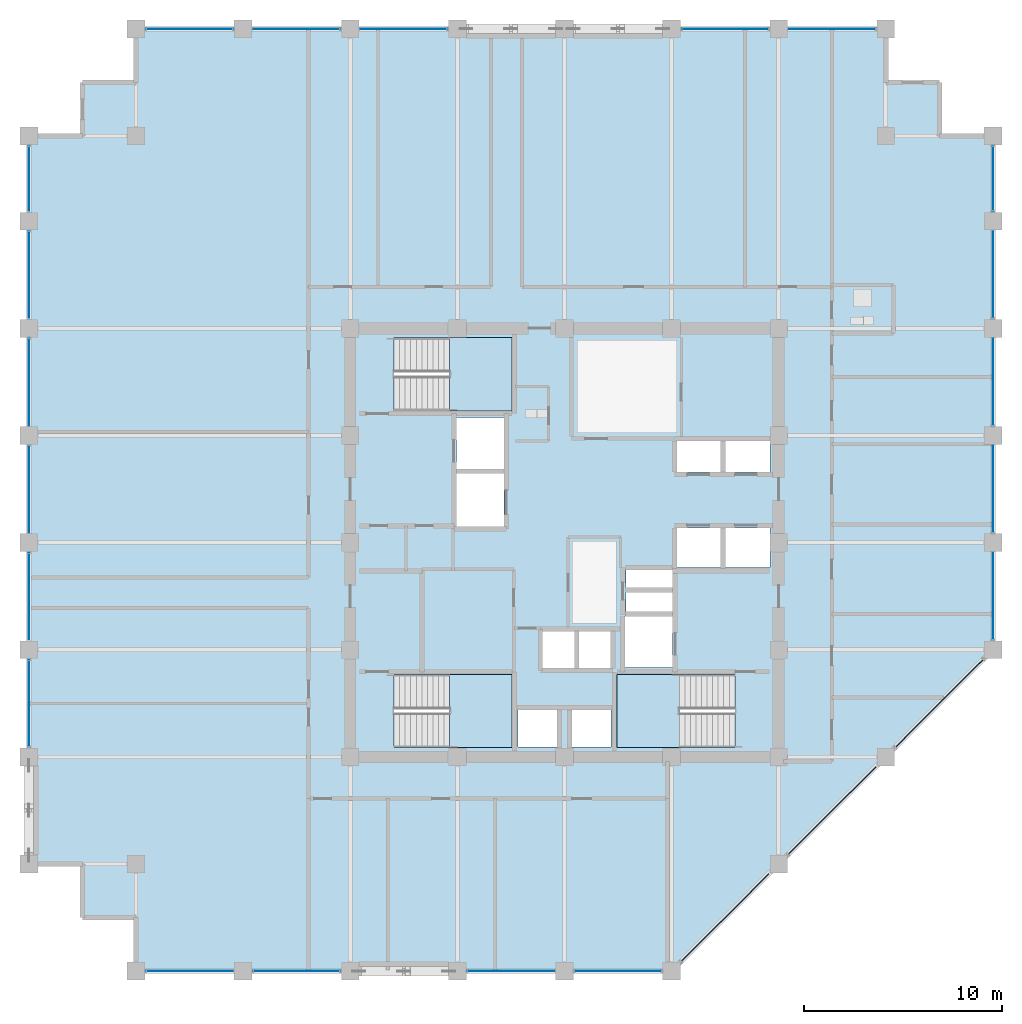
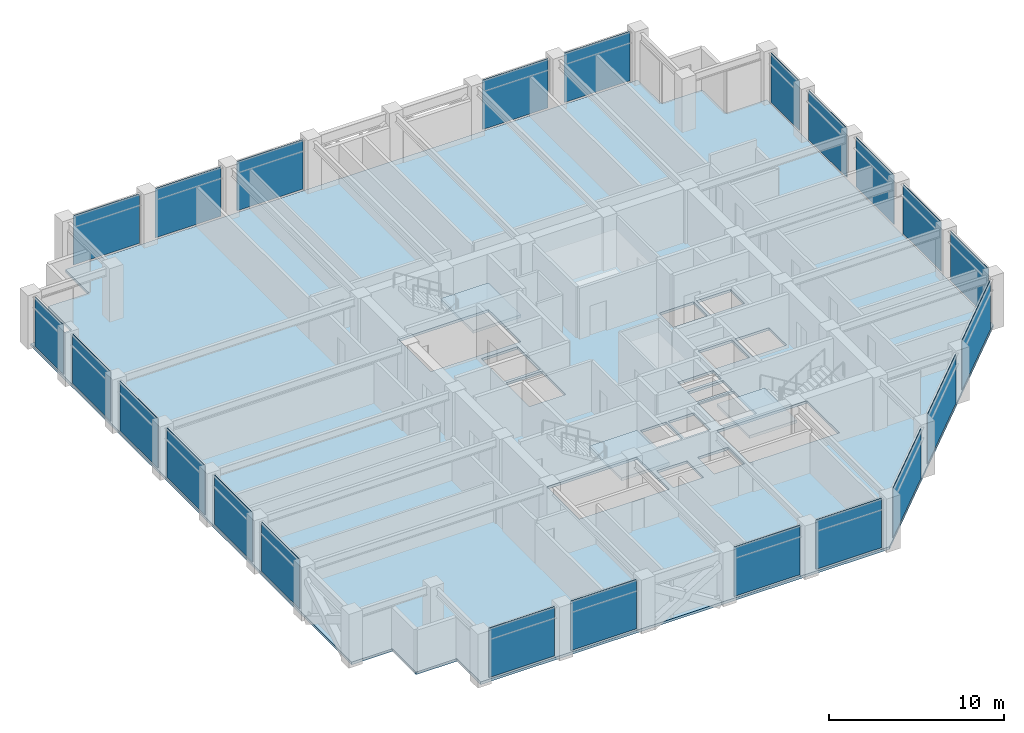
# One storey, part 26 of 32: 23 plates, 4 slabs, 10 elements without a shape of their own.
"""IFC4 building model written with IfcOpenShell, lengths in metres."""

from ifc_helpers import new_model, si_unit, direction, frame, frame_2d, origin, place, context, subcontext, project, spatial, polyline, rectangle, outline, extrude, material, layer, layer_set, type_object, element, aggregate, save


model = new_model("IFC4")

# Units and contexts
model_context = context("Model", 3, precision=1e-05, world=origin(), true_north=direction((0.0, 1.0)))
body_context = subcontext(model_context, "Body", "Model", "MODEL_VIEW")
ifc_project = project(units=[si_unit("LENGTHUNIT", "METRE"), si_unit("AREAUNIT", "SQUARE_METRE"), si_unit("VOLUMEUNIT", "CUBIC_METRE"), si_unit("PLANEANGLEUNIT", "RADIAN"), si_unit("MASSUNIT", "GRAM", prefix="KILO")], contexts=[model_context])

# Site, building, storey
site_placement = place(None, origin())
site = spatial("IfcSite", under=ifc_project, at=site_placement, CompositionType="ELEMENT")
building_placement = place(site_placement, origin())
building = spatial("IfcBuilding", under=site, at=building_placement, Name="Surkhivell Harbour Commons", CompositionType="ELEMENT")
storey_placement = place(building_placement, frame((0.0, 0.0, 212.25)))
storey = spatial("IfcBuildingStorey", under=building, at=storey_placement, Name="L55", CompositionType="ELEMENT", Elevation=212.25)

# Curtain wall, plates
ifc_material_1 = material(Name="Anodised pale-metal aluminium and insulated glazing", Category="aluminium")
ifc_layer_1 = layer(ifc_material_1, 0.18994140625)
ifc_layer_set_1 = layer_set([ifc_layer_1], Name="Anodised pale-metal aluminium and insulated glazing")
curtain_wall_type = type_object("IfcCurtainWallType", Name="CW-SYS-Z3", PredefinedType="NOTDEFINED", material=ifc_layer_set_1)
curtain_wall_1_placement = place(storey_placement, origin())
curtain_wall_1 = element("IfcCurtainWall", 1, at=curtain_wall_1_placement, inside=storey, type_object=curtain_wall_type, Name="L55 Curtain Wall CW-L55-E00S1", PredefinedType="NOTDEFINED")
ifc_material_2 = material(Name="High-pressure typhoon laminated vision glass", Category="glass")
ifc_layer_2 = layer(ifc_material_2, 0.035888671875)
ifc_layer_set_2 = layer_set([ifc_layer_2], Name="High-pressure typhoon laminated vision glass")
plate_type = type_object("IfcPlateType", Name="CWP-GLZ-36", PredefinedType="CURTAIN_PANEL", material=ifc_layer_set_2)
plate_1_placement = place(storey_placement, frame((-21.072998046875, -21.60009765625, 0.1298828125), z_axis=(0.0, 0.0, 1.0), x_axis=(1.0, 0.0, 0.0)))
plate_1 = element("IfcPlate", 2, at=plate_1_placement, type_object=plate_type, Name="CW-Z3 panel 1.1", PredefinedType="CURTAIN_PANEL", context=body_context, shape_type="SweptSolid", body=[
    extrude(rectangle(XDim=4.345947265625, YDim=0.035888671875, at=frame_2d((2.1728515625, 0.0))), origin(), (0.0, 0.0, 1.0), 3.440185546875),
])
plate_2_placement = place(storey_placement, frame((-15.673095703125, -21.60009765625, 0.1298828125), z_axis=(0.0, 0.0, 1.0), x_axis=(1.0, 0.0, 0.0)))
plate_2 = element("IfcPlate", 3, at=plate_2_placement, type_object=plate_type, Name="CW-Z3 panel 2.1", PredefinedType="CURTAIN_PANEL", context=body_context, shape_type="SweptSolid", body=[
    extrude(rectangle(XDim=4.34619140625, YDim=0.035888671875, at=frame_2d((2.173095703125, 0.0))), origin(), (0.0, 0.0, 1.0), 3.440185546875),
])
aggregate(curtain_wall_1, [plate_1, plate_2])

curtain_wall_2_placement = place(storey_placement, origin())
curtain_wall_2 = element("IfcCurtainWall", 4, at=curtain_wall_2_placement, inside=storey, type_object=curtain_wall_type, Name="L55 Curtain Wall CW-L55-E00S2", PredefinedType="NOTDEFINED")
plate_3_placement = place(storey_placement, frame((-4.873046875, -21.60009765625, 0.1298828125), z_axis=(0.0, 0.0, 1.0), x_axis=(1.0, 0.0, 0.0)))
plate_3 = element("IfcPlate", 5, at=plate_3_placement, type_object=plate_type, Name="CW-Z3 panel 1.1", PredefinedType="CURTAIN_PANEL", context=body_context, shape_type="SweptSolid", body=[
    extrude(rectangle(XDim=4.345947265625, YDim=0.035888671875, at=frame_2d((2.1728515625, 0.0))), origin(), (0.0, 0.0, 1.0), 3.440185546875),
])
plate_4_placement = place(storey_placement, frame((0.527099609375, -21.60009765625, 0.1298828125), z_axis=(0.0, 0.0, 1.0), x_axis=(1.0, 0.0, 0.0)))
plate_4 = element("IfcPlate", 6, at=plate_4_placement, type_object=plate_type, Name="CW-Z3 panel 2.1", PredefinedType="CURTAIN_PANEL", context=body_context, shape_type="SweptSolid", body=[
    extrude(rectangle(XDim=4.345947265625, YDim=0.035888671875, at=frame_2d((2.1728515625, 0.0))), origin(), (0.0, 0.0, 1.0), 3.440185546875),
])
aggregate(curtain_wall_2, [plate_3, plate_4])

curtain_wall_3_placement = place(storey_placement, origin())
curtain_wall_3 = element("IfcCurtainWall", 7, at=curtain_wall_3_placement, inside=storey, type_object=curtain_wall_type, Name="L55 Curtain Wall CW-L55-E01", PredefinedType="NOTDEFINED")
plate_5_placement = place(storey_placement, frame((5.90478515625, -21.09521484375, 0.1298828125), z_axis=(0.0, 0.0, 1.0), x_axis=(0.707106781187, 0.707106781187, 0.0)))
plate_5 = element("IfcPlate", 8, at=plate_5_placement, type_object=plate_type, Name="CW-Z3 panel 1.1", PredefinedType="CURTAIN_PANEL", context=body_context, shape_type="SweptSolid", body=[
    extrude(rectangle(XDim=6.209228515625, YDim=0.035888671875, at=frame_2d((3.1044921875, 0.0))), origin(), (0.0, 0.0, 1.0), 3.440185546875),
])
plate_6_placement = place(storey_placement, frame((11.3046875, -15.6953125, 0.1298828125), z_axis=(0.0, 0.0, 1.0), x_axis=(0.707106781187, 0.707106781187, 0.0)))
plate_6 = element("IfcPlate", 9, at=plate_6_placement, type_object=plate_type, Name="CW-Z3 panel 2.1", PredefinedType="CURTAIN_PANEL", context=body_context, shape_type="SweptSolid", body=[
    extrude(rectangle(XDim=6.209228515625, YDim=0.035888671875, at=frame_2d((3.1044921875, 0.0))), origin(), (0.0, 0.0, 1.0), 3.440185546875),
])
plate_7_placement = place(storey_placement, frame((16.70458984375, -10.29541015625, 0.1298828125), z_axis=(0.0, 0.0, 1.0), x_axis=(0.707106781187, 0.707106781187, 0.0)))
plate_7 = element("IfcPlate", 10, at=plate_7_placement, type_object=plate_type, Name="CW-Z3 panel 3.1", PredefinedType="CURTAIN_PANEL", context=body_context, shape_type="SweptSolid", body=[
    extrude(rectangle(XDim=6.209228515625, YDim=0.035888671875, at=frame_2d((3.1044921875, 0.0))), origin(), (0.0, 0.0, 1.0), 3.440185546875),
])
aggregate(curtain_wall_3, [plate_5, plate_6, plate_7])

curtain_wall_4_placement = place(storey_placement, origin())
curtain_wall_4 = element("IfcCurtainWall", 11, at=curtain_wall_4_placement, inside=storey, type_object=curtain_wall_type, Name="L55 Curtain Wall CW-L55-E02", PredefinedType="NOTDEFINED")
plate_8_placement = place(storey_placement, frame((21.60009765625, -4.873046875, 0.1298828125), z_axis=(0.0, 0.0, 1.0), x_axis=(0.0, 1.0, 0.0)))
plate_8 = element("IfcPlate", 12, at=plate_8_placement, type_object=plate_type, Name="CW-Z3 panel 1.1", PredefinedType="CURTAIN_PANEL", context=body_context, shape_type="SweptSolid", body=[
    extrude(rectangle(XDim=4.345947265625, YDim=0.035888671875, at=frame_2d((2.1728515625, 0.0))), origin(), (0.0, 0.0, 1.0), 3.440185546875),
])
plate_9_placement = place(storey_placement, frame((21.60009765625, 0.527099609375, 0.1298828125), z_axis=(0.0, 0.0, 1.0), x_axis=(0.0, 1.0, 0.0)))
plate_9 = element("IfcPlate", 13, at=plate_9_placement, type_object=plate_type, Name="CW-Z3 panel 2.1", PredefinedType="CURTAIN_PANEL", context=body_context, shape_type="SweptSolid", body=[
    extrude(rectangle(XDim=4.345947265625, YDim=0.035888671875, at=frame_2d((2.1728515625, 0.0))), origin(), (0.0, 0.0, 1.0), 3.440185546875),
])
plate_10_placement = place(storey_placement, frame((21.60009765625, 5.927001953125, 0.1298828125), z_axis=(0.0, 0.0, 1.0), x_axis=(0.0, 1.0, 0.0)))
plate_10 = element("IfcPlate", 14, at=plate_10_placement, type_object=plate_type, Name="CW-Z3 panel 3.1", PredefinedType="CURTAIN_PANEL", context=body_context, shape_type="SweptSolid", body=[
    extrude(rectangle(XDim=4.345947265625, YDim=0.035888671875, at=frame_2d((2.1728515625, 0.0))), origin(), (0.0, 0.0, 1.0), 3.440185546875),
])
plate_11_placement = place(storey_placement, frame((21.60009765625, 11.326904296875, 0.1298828125), z_axis=(0.0, 0.0, 1.0), x_axis=(0.0, 1.0, 0.0)))
plate_11 = element("IfcPlate", 15, at=plate_11_placement, type_object=plate_type, Name="CW-Z3 panel 4.1", PredefinedType="CURTAIN_PANEL", context=body_context, shape_type="SweptSolid", body=[
    extrude(rectangle(XDim=4.34619140625, YDim=0.035888671875, at=frame_2d((2.173095703125, 0.0))), origin(), (0.0, 0.0, 1.0), 3.440185546875),
])
plate_12_placement = place(storey_placement, frame((21.60009765625, 16.72705078125, 0.1298828125), z_axis=(0.0, 0.0, 1.0), x_axis=(0.0, 1.0, 0.0)))
plate_12 = element("IfcPlate", 16, at=plate_12_placement, type_object=plate_type, Name="CW-Z3 panel 5.1", PredefinedType="CURTAIN_PANEL", context=body_context, shape_type="SweptSolid", body=[
    extrude(rectangle(XDim=3.245849609375, YDim=0.035888671875, at=frame_2d((1.623046875, 0.0))), origin(), (0.0, 0.0, 1.0), 3.440185546875),
])
aggregate(curtain_wall_4, [plate_8, plate_9, plate_10, plate_11, plate_12])

curtain_wall_5_placement = place(storey_placement, origin())
curtain_wall_5 = element("IfcCurtainWall", 17, at=curtain_wall_5_placement, inside=storey, type_object=curtain_wall_type, Name="L55 Curtain Wall CW-L55-E07S1", PredefinedType="NOTDEFINED")
plate_13_placement = place(storey_placement, frame((15.673095703125, 25.89990234375, 0.1298828125), z_axis=(0.0, 0.0, 1.0), x_axis=(-1.0, 0.0, 0.0)))
plate_13 = element("IfcPlate", 18, at=plate_13_placement, type_object=plate_type, Name="CW-Z3 panel 1.1", PredefinedType="CURTAIN_PANEL", context=body_context, shape_type="SweptSolid", body=[
    extrude(rectangle(XDim=4.34619140625, YDim=0.035888671875, at=frame_2d((2.173095703125, 0.0))), origin(), (0.0, 0.0, 1.0), 3.440185546875),
])
plate_14_placement = place(storey_placement, frame((10.27294921875, 25.89990234375, 0.1298828125), z_axis=(0.0, 0.0, 1.0), x_axis=(-1.0, 0.0, 0.0)))
plate_14 = element("IfcPlate", 19, at=plate_14_placement, type_object=plate_type, Name="CW-Z3 panel 2.1", PredefinedType="CURTAIN_PANEL", context=body_context, shape_type="SweptSolid", body=[
    extrude(rectangle(XDim=4.345947265625, YDim=0.035888671875, at=frame_2d((2.1728515625, 0.0))), origin(), (0.0, 0.0, 1.0), 3.440185546875),
])
aggregate(curtain_wall_5, [plate_13, plate_14])

curtain_wall_6_placement = place(storey_placement, origin())
curtain_wall_6 = element("IfcCurtainWall", 20, at=curtain_wall_6_placement, inside=storey, type_object=curtain_wall_type, Name="L55 Curtain Wall CW-L55-E07S2", PredefinedType="NOTDEFINED")
plate_15_placement = place(storey_placement, frame((-5.927001953125, 25.89990234375, 0.1298828125), z_axis=(0.0, 0.0, 1.0), x_axis=(-1.0, 0.0, 0.0)))
plate_15 = element("IfcPlate", 21, at=plate_15_placement, type_object=plate_type, Name="CW-Z3 panel 1.1", PredefinedType="CURTAIN_PANEL", context=body_context, shape_type="SweptSolid", body=[
    extrude(rectangle(XDim=4.345947265625, YDim=0.035888671875, at=frame_2d((2.1728515625, 0.0))), origin(), (0.0, 0.0, 1.0), 3.440185546875),
])
plate_16_placement = place(storey_placement, frame((-11.326904296875, 25.89990234375, 0.1298828125), z_axis=(0.0, 0.0, 1.0), x_axis=(-1.0, 0.0, 0.0)))
plate_16 = element("IfcPlate", 22, at=plate_16_placement, type_object=plate_type, Name="CW-Z3 panel 2.1", PredefinedType="CURTAIN_PANEL", context=body_context, shape_type="SweptSolid", body=[
    extrude(rectangle(XDim=4.34619140625, YDim=0.035888671875, at=frame_2d((2.173095703125, 0.0))), origin(), (0.0, 0.0, 1.0), 3.440185546875),
])
plate_17_placement = place(storey_placement, frame((-16.72705078125, 25.89990234375, 0.1298828125), z_axis=(0.0, 0.0, 1.0), x_axis=(-1.0, 0.0, 0.0)))
plate_17 = element("IfcPlate", 23, at=plate_17_placement, type_object=plate_type, Name="CW-Z3 panel 3.1", PredefinedType="CURTAIN_PANEL", context=body_context, shape_type="SweptSolid", body=[
    extrude(rectangle(XDim=4.345947265625, YDim=0.035888671875, at=frame_2d((2.1728515625, 0.0))), origin(), (0.0, 0.0, 1.0), 3.440185546875),
])
aggregate(curtain_wall_6, [plate_15, plate_16, plate_17])

curtain_wall_7_placement = place(storey_placement, origin())
curtain_wall_7 = element("IfcCurtainWall", 24, at=curtain_wall_7_placement, inside=storey, type_object=curtain_wall_type, Name="L55 Curtain Wall CW-L55-E12S1", PredefinedType="NOTDEFINED")
plate_18_placement = place(storey_placement, frame((-27.0, 19.972900390625, 0.1298828125), z_axis=(0.0, 0.0, 1.0), x_axis=(0.0, -1.0, 0.0)))
plate_18 = element("IfcPlate", 25, at=plate_18_placement, type_object=plate_type, Name="CW-Z3 panel 1.1", PredefinedType="CURTAIN_PANEL", context=body_context, shape_type="SweptSolid", body=[
    extrude(rectangle(XDim=3.245849609375, YDim=0.035888671875, at=frame_2d((1.623046875, 0.0))), origin(), (0.0, 0.0, 1.0), 3.440185546875),
])
plate_19_placement = place(storey_placement, frame((-27.0, 15.673095703125, 0.1298828125), z_axis=(0.0, 0.0, 1.0), x_axis=(0.0, -1.0, 0.0)))
plate_19 = element("IfcPlate", 26, at=plate_19_placement, type_object=plate_type, Name="CW-Z3 panel 2.1", PredefinedType="CURTAIN_PANEL", context=body_context, shape_type="SweptSolid", body=[
    extrude(rectangle(XDim=4.34619140625, YDim=0.035888671875, at=frame_2d((2.173095703125, 0.0))), origin(), (0.0, 0.0, 1.0), 3.440185546875),
])
plate_20_placement = place(storey_placement, frame((-27.0, 10.27294921875, 0.1298828125), z_axis=(0.0, 0.0, 1.0), x_axis=(0.0, -1.0, 0.0)))
plate_20 = element("IfcPlate", 27, at=plate_20_placement, type_object=plate_type, Name="CW-Z3 panel 3.1", PredefinedType="CURTAIN_PANEL", context=body_context, shape_type="SweptSolid", body=[
    extrude(rectangle(XDim=4.345947265625, YDim=0.035888671875, at=frame_2d((2.1728515625, 0.0))), origin(), (0.0, 0.0, 1.0), 3.440185546875),
])
plate_21_placement = place(storey_placement, frame((-27.0, 4.873046875, 0.1298828125), z_axis=(0.0, 0.0, 1.0), x_axis=(0.0, -1.0, 0.0)))
plate_21 = element("IfcPlate", 28, at=plate_21_placement, type_object=plate_type, Name="CW-Z3 panel 4.1", PredefinedType="CURTAIN_PANEL", context=body_context, shape_type="SweptSolid", body=[
    extrude(rectangle(XDim=4.345947265625, YDim=0.035888671875, at=frame_2d((2.1728515625, 0.0))), origin(), (0.0, 0.0, 1.0), 3.440185546875),
])
plate_22_placement = place(storey_placement, frame((-27.0, -0.527099609375, 0.1298828125), z_axis=(0.0, 0.0, 1.0), x_axis=(0.0, -1.0, 0.0)))
plate_22 = element("IfcPlate", 29, at=plate_22_placement, type_object=plate_type, Name="CW-Z3 panel 5.1", PredefinedType="CURTAIN_PANEL", context=body_context, shape_type="SweptSolid", body=[
    extrude(rectangle(XDim=4.345947265625, YDim=0.035888671875, at=frame_2d((2.1728515625, 0.0))), origin(), (0.0, 0.0, 1.0), 3.440185546875),
])
plate_23_placement = place(storey_placement, frame((-27.0, -5.927001953125, 0.1298828125), z_axis=(0.0, 0.0, 1.0), x_axis=(0.0, -1.0, 0.0)))
plate_23 = element("IfcPlate", 30, at=plate_23_placement, type_object=plate_type, Name="CW-Z3 panel 6.1", PredefinedType="CURTAIN_PANEL", context=body_context, shape_type="SweptSolid", body=[
    extrude(rectangle(XDim=4.345947265625, YDim=0.035888671875, at=frame_2d((2.1728515625, 0.0))), origin(), (0.0, 0.0, 1.0), 3.440185546875),
])
aggregate(curtain_wall_7, [plate_18, plate_19, plate_20, plate_21, plate_22, plate_23])

# Stair, slab
ifc_material_3 = material(Name="Precast concrete C45/55", Category="concrete")
stair_type = type_object("IfcStairType", Name="STR-DL-375", PredefinedType="HALF_TURN_STAIR", material=ifc_material_3)
stair_1_placement = place(storey_placement, origin())
stair_1 = element("IfcStair", 31, at=stair_1_placement, inside=storey, type_object=stair_type, Name="L55 Core Exit Stair ST1", PredefinedType="HALF_TURN_STAIR")
ifc_material_4 = material(Name="Reinforced concrete C45/55", Category="concrete")
ifc_layer_3 = layer(ifc_material_4, 0.199951171875)
ifc_layer_set_3 = layer_set([ifc_layer_3], Name="Reinforced concrete C45/55")
slab_type_1 = type_object("IfcSlabType", Name="SLB-ST-LND200", PredefinedType="LANDING", material=ifc_layer_set_3)
slab_1_placement = place(storey_placement, frame((0.0, 0.0, 1.675048828125)))
slab_1 = element("IfcSlab", 32, at=slab_1_placement, type_object=slab_type_1, Name="ST1 landing 1", PredefinedType="LANDING", context=body_context, shape_type="SweptSolid", body=[
    extrude(outline(polyline([(-5.7900390625, 6.639892578125), (-2.639892578125, 6.639892578125), (-2.639892578125, 10.340087890625), (-5.7900390625, 10.340087890625), (-5.7900390625, 6.639892578125)])), origin(), (0.0, 0.0, 1.0), 0.199951171875),
])
aggregate(stair_1, [slab_1])

stair_2_placement = place(storey_placement, origin())
stair_2 = element("IfcStair", 33, at=stair_2_placement, inside=storey, type_object=stair_type, Name="L55 Core Exit Stair ST2", PredefinedType="HALF_TURN_STAIR")
slab_2_placement = place(storey_placement, frame((0.0, 0.0, 1.675048828125)))
slab_2 = element("IfcSlab", 34, at=slab_2_placement, type_object=slab_type_1, Name="ST2 landing 1", PredefinedType="LANDING", context=body_context, shape_type="SweptSolid", body=[
    extrude(outline(polyline([(5.7900390625, -6.639892578125), (2.639892578125, -6.639892578125), (2.639892578125, -10.340087890625), (5.7900390625, -10.340087890625), (5.7900390625, -6.639892578125)])), origin(), (0.0, 0.0, 1.0), 0.199951171875),
])
aggregate(stair_2, [slab_2])

stair_3_placement = place(storey_placement, origin())
stair_3 = element("IfcStair", 35, at=stair_3_placement, inside=storey, type_object=stair_type, Name="L55 Core Exit Stair ST3", PredefinedType="HALF_TURN_STAIR")
slab_3_placement = place(storey_placement, frame((0.0, 0.0, 1.675048828125)))
slab_3 = element("IfcSlab", 36, at=slab_3_placement, type_object=slab_type_1, Name="ST3 landing 1", PredefinedType="LANDING", context=body_context, shape_type="SweptSolid", body=[
    extrude(outline(polyline([(-5.7900390625, -10.340087890625), (-2.639892578125, -10.340087890625), (-2.639892578125, -6.639892578125), (-5.7900390625, -6.639892578125), (-5.7900390625, -10.340087890625)])), origin(), (0.0, 0.0, 1.0), 0.199951171875),
])
aggregate(stair_3, [slab_3])

# Slab
ifc_material_5 = material(Name="Concrete C45/55", Category="concrete")
ifc_layer_4 = layer(ifc_material_5, 0.179931640625)
ifc_layer_set_4 = layer_set([ifc_layer_4], Name="Concrete C45/55")
slab_type_2 = type_object("IfcSlabType", Name="SLB-TYP-180", PredefinedType="FLOOR", material=ifc_layer_set_4)
slab_4_placement = place(storey_placement, frame((0.0, 0.0, -0.179931640625)))
element("IfcSlab", 37, at=slab_4_placement, inside=storey, type_object=slab_type_2, Name="L55 Structural Floor Slab", PredefinedType="FLOOR", context=body_context, shape_type="SweptSolid", body=[
    extrude(outline(polyline([(-21.60009765625, -21.60009765625), (5.39990234375, -21.60009765625), (21.60009765625, -5.39990234375), (21.60009765625, 20.5), (18.89990234375, 20.5), (18.89990234375, 23.199951171875), (16.199951171875, 23.199951171875), (16.199951171875, 25.89990234375), (-21.60009765625, 25.89990234375), (-21.60009765625, 23.199951171875), (-24.300048828125, 23.199951171875), (-24.300048828125, 20.5), (-27.0, 20.5), (-27.0, -16.199951171875), (-24.300048828125, -16.199951171875), (-24.300048828125, -18.89990234375), (-21.60009765625, -18.89990234375), (-21.60009765625, -21.60009765625)]), holes=[polyline([(-8.590087890625, 6.639892578125), (-2.639892578125, 6.639892578125), (-2.639892578125, 10.340087890625), (-8.590087890625, 10.340087890625), (-8.590087890625, 6.639892578125)]), polyline([(8.590087890625, -6.639892578125), (2.639892578125, -6.639892578125), (2.639892578125, -10.340087890625), (8.590087890625, -10.340087890625), (8.590087890625, -6.639892578125)]), polyline([(-8.590087890625, -10.340087890625), (-2.639892578125, -10.340087890625), (-2.639892578125, -6.639892578125), (-8.590087890625, -6.639892578125), (-8.590087890625, -10.340087890625)]), polyline([(5.64990234375, 3.550048828125), (7.89990234375, 3.550048828125), (7.89990234375, 5.14990234375), (5.64990234375, 5.14990234375), (5.64990234375, 3.550048828125)]), polyline([(8.10009765625, 3.550048828125), (10.35009765625, 3.550048828125), (10.35009765625, 5.14990234375), (8.10009765625, 5.14990234375), (8.10009765625, 3.550048828125)]), polyline([(5.64990234375, -1.25), (7.89990234375, -1.25), (7.89990234375, 0.75), (5.64990234375, 0.75), (5.64990234375, -1.25)]), polyline([(8.10009765625, -1.25), (10.35009765625, -1.25), (10.35009765625, 0.75), (8.10009765625, 0.75), (8.10009765625, -1.25)]), polyline([(-1.14990234375, -6.35009765625), (0.550048828125, -6.35009765625), (0.550048828125, -4.449951171875), (-1.14990234375, -4.449951171875), (-1.14990234375, -6.35009765625)]), polyline([(0.679931640625, -6.35009765625), (2.3798828125, -6.35009765625), (2.3798828125, -4.449951171875), (0.679931640625, -4.449951171875), (0.679931640625, -6.35009765625)]), polyline([(-2.35009765625, -10.300048828125), (-0.35009765625, -10.300048828125), (-0.35009765625, -8.39990234375), (-2.35009765625, -8.39990234375), (-2.35009765625, -10.300048828125)]), polyline([(0.35009765625, -10.300048828125), (2.35009765625, -10.300048828125), (2.35009765625, -8.39990234375), (0.35009765625, -8.39990234375), (0.35009765625, -10.300048828125)]), polyline([(-5.449951171875, 3.699951171875), (-3.050048828125, 3.699951171875), (-3.050048828125, 6.300048828125), (-5.449951171875, 6.300048828125), (-5.449951171875, 3.699951171875)]), polyline([(3.050048828125, -6.300048828125), (5.449951171875, -6.300048828125), (5.449951171875, -3.699951171875), (3.050048828125, -3.699951171875), (3.050048828125, -6.300048828125)]), polyline([(-5.449951171875, 0.800048828125), (-3.050048828125, 0.800048828125), (-3.050048828125, 3.5), (-5.449951171875, 3.5), (-5.449951171875, 0.800048828125)]), polyline([(3.10009765625, -3.550048828125), (5.449951171875, -3.550048828125), (5.449951171875, -2.47998046875), (3.10009765625, -2.47998046875), (3.10009765625, -3.550048828125)]), polyline([(3.10009765625, -2.280029296875), (5.449951171875, -2.280029296875), (5.449951171875, -1.35009765625), (3.10009765625, -1.35009765625), (3.10009765625, -2.280029296875)])]), origin(), (0.0, 0.0, 1.0), 0.179931640625),
])

save(model, "model.ifc")
